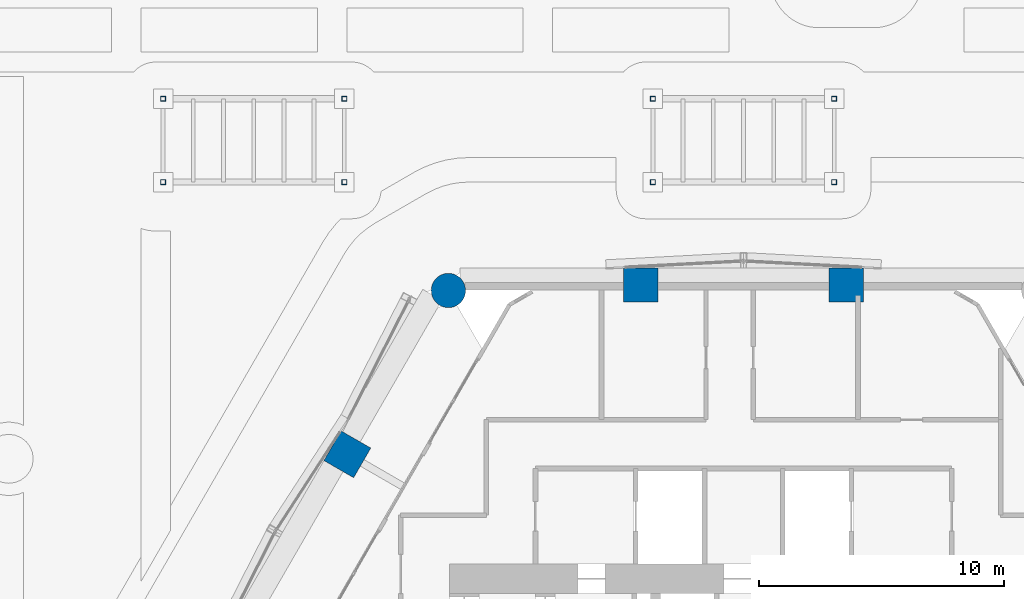
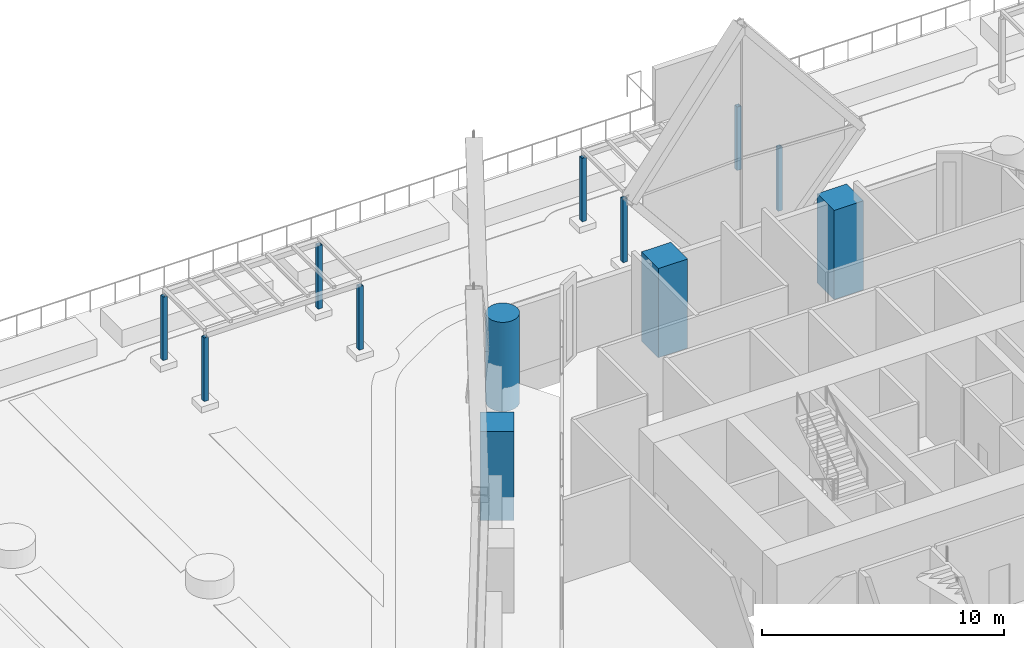
# One storey, part 5 of 71: 12 columns.
"""IFC4 building model written with IfcOpenShell, lengths in metres."""

from ifc_helpers import new_model, si_unit, direction, frame, origin, origin_2d, place, context, subcontext, project, spatial, rectangle, hollow_rectangle, circle, extrude, material, material_profile, profile_set, type_object, element, save


model = new_model("IFC4")

# Units and contexts
model_context = context("Model", 3, precision=1e-05, world=origin(), true_north=direction((0.0, 1.0)))
body_context = subcontext(model_context, "Body", "Model", "MODEL_VIEW")
ifc_project = project(units=[si_unit("LENGTHUNIT", "METRE"), si_unit("AREAUNIT", "SQUARE_METRE"), si_unit("VOLUMEUNIT", "CUBIC_METRE"), si_unit("PLANEANGLEUNIT", "RADIAN"), si_unit("MASSUNIT", "GRAM", prefix="KILO")], contexts=[model_context])

# Site, building, storey
site_placement = place(None, origin())
site = spatial("IfcSite", under=ifc_project, at=site_placement, CompositionType="ELEMENT")
building_placement = place(site_placement, origin())
building = spatial("IfcBuilding", under=site, at=building_placement, Name="Ostrander Bayou Hotel Tower", CompositionType="ELEMENT")
storey_placement = place(building_placement, frame((0.0, 0.0, 10.0)))
storey = spatial("IfcBuildingStorey", under=building, at=storey_placement, Name="L02", CompositionType="ELEMENT", Elevation=10.0)

# Columns
ifc_material_1 = material(Name="Concrete f'c 70 MPa", Category="concrete")
ifc_material_profile_1 = material_profile(ifc_material_1, circle(Radius=0.699951171875, at=origin_2d()))
ifc_profile_set_1 = profile_set([ifc_material_profile_1], Name="Concrete f'c 70 MPa")
column_type_1 = type_object("IfcColumnType", Name="C1 round column 1400 mm f'c 70 MPa", PredefinedType="COLUMN", material=ifc_profile_set_1)
column_placement = place(storey_placement, frame((-12.050537109375, 20.872314453125, -1.199951171875), z_axis=(0.0, 0.0, 1.0), x_axis=(1.0, 0.0, 0.0)))
element("IfcColumn", 1, at=column_placement, inside=storey, type_object=column_type_1, Name="C1 L02 K0", PredefinedType="COLUMN", context=body_context, shape_type="SweptSolid", body=[
    extrude(circle(Radius=0.699951171875, at=origin_2d()), origin(), (0.0, 0.0, 1.0), 4.5),
])
ifc_material_2 = material(Name="Concrete f'c 70 MPa", Category="concrete")
ifc_material_profile_2 = material_profile(ifc_material_2, rectangle(XDim=1.39990234375, YDim=1.39990234375, at=origin_2d()))
ifc_profile_set_2 = profile_set([ifc_material_profile_2], Name="Concrete f'c 70 MPa")
column_type_2 = type_object("IfcColumnType", Name="C2 square column 1400 x 1400 mm f'c 70 MPa", PredefinedType="COLUMN", material=ifc_profile_set_2)
for number, where, z_axis, x_axis, name in (
    (2, (4.1953125, 21.10009765625, -1.199951171875), (0.0, 0.0, 1.0), (1.0, 0.0, 0.0), "C2 L02 N1"),
    (3, (-4.1953125, 21.10009765625, -1.199951171875), (0.0, 0.0, 1.0), (1.0, 0.0, 0.0), "C2 L02 N2"),
    (4, (-16.17529296875, 14.183349609375, -1.199951171875), (0.0, 0.0, 1.0), (0.5, 0.866025403784, 0.0), "C2 L02 NW1"),
):
    element("IfcColumn", number, at=place(storey_placement, frame(where, z_axis=z_axis, x_axis=x_axis)), inside=storey, type_object=column_type_2, Name=name, PredefinedType="COLUMN", context=body_context, shape_type="SweptSolid", body=[
        extrude(rectangle(XDim=1.39990234375, YDim=1.39990234375, at=origin_2d()), origin(), (0.0, 0.0, 1.0), 4.5),
    ])
ifc_material_3 = material(Name="Steel ASTM A500 Gr C", Category="steel")
ifc_material_profile_3 = material_profile(ifc_material_3, hollow_rectangle(XDim=0.203125, YDim=0.203125, WallThickness=0.01171875, at=origin_2d()))
ifc_profile_set_3 = profile_set([ifc_material_profile_3], Name="Steel ASTM A500 Gr C")
column_type_3 = type_object("IfcColumnType", Name="PG1 pergola post HSS8x8x1/2", PredefinedType="COLUMN", material=ifc_profile_set_3)
for number, where, z_axis, x_axis, name in (
    (5, (-23.699951171875, 25.300048828125, 0.300048828125), (0.0, 0.0, 1.0), (1.0, 0.0, 0.0), "PG1 pergola 1 post 1"),
    (6, (-16.300048828125, 25.300048828125, 0.300048828125), (0.0, 0.0, 1.0), (1.0, 0.0, 0.0), "PG1 pergola 1 post 2"),
    (7, (-16.300048828125, 28.699951171875, 0.300048828125), (0.0, 0.0, 1.0), (1.0, 0.0, 0.0), "PG1 pergola 1 post 3"),
    (8, (-23.699951171875, 28.699951171875, 0.300048828125), (0.0, 0.0, 1.0), (1.0, 0.0, 0.0), "PG1 pergola 1 post 4"),
    (9, (-3.699951171875, 25.300048828125, 0.300048828125), (0.0, 0.0, 1.0), (1.0, 0.0, 0.0), "PG1 pergola 2 post 1"),
    (10, (3.699951171875, 25.300048828125, 0.300048828125), (0.0, 0.0, 1.0), (1.0, 0.0, 0.0), "PG1 pergola 2 post 2"),
    (11, (3.699951171875, 28.699951171875, 0.300048828125), (0.0, 0.0, 1.0), (1.0, 0.0, 0.0), "PG1 pergola 2 post 3"),
    (12, (-3.699951171875, 28.699951171875, 0.300048828125), (0.0, 0.0, 1.0), (1.0, 0.0, 0.0), "PG1 pergola 2 post 4"),
):
    element("IfcColumn", number, at=place(storey_placement, frame(where, z_axis=z_axis, x_axis=x_axis)), inside=storey, type_object=column_type_3, Name=name, PredefinedType="COLUMN", context=body_context, shape_type="SweptSolid", body=[
        extrude(hollow_rectangle(XDim=0.203125, YDim=0.203125, WallThickness=0.01171875, at=origin_2d()), origin(), (0.0, 0.0, 1.0), 3.199951171875),
    ])

save(model, "model.ifc")
